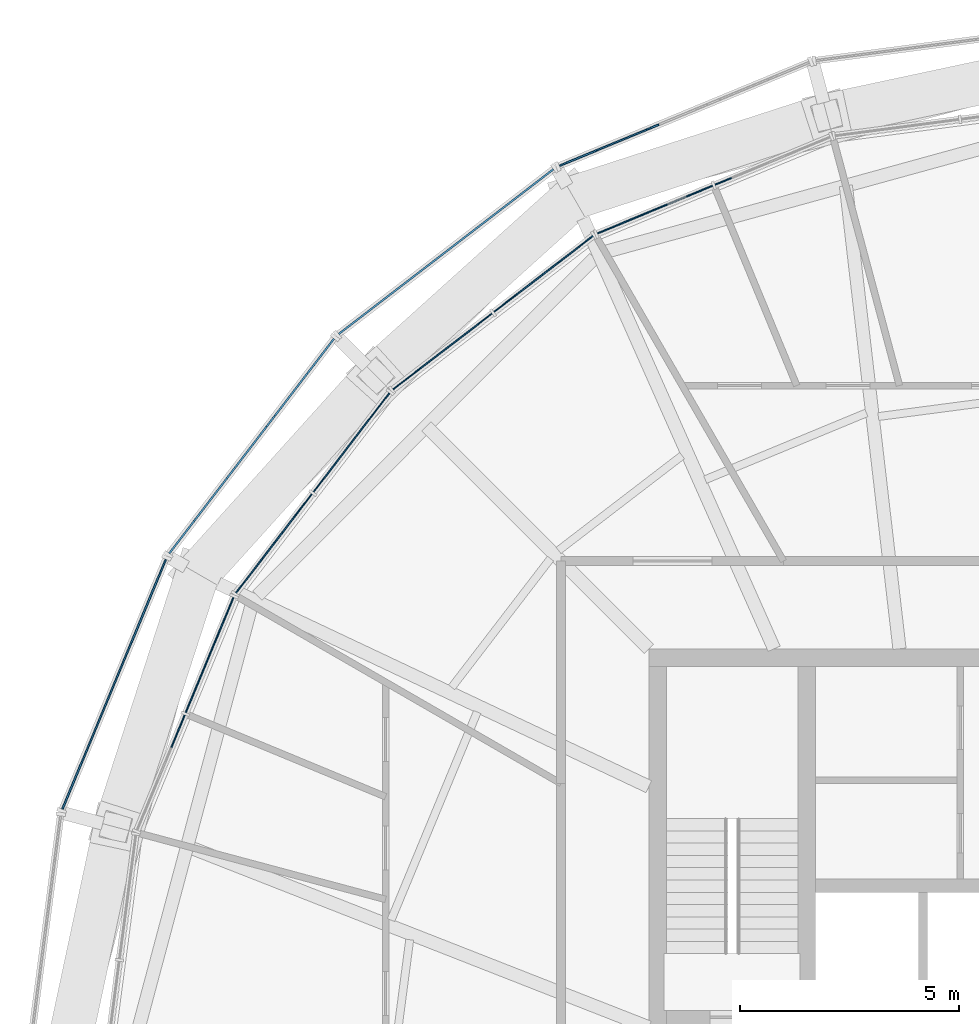
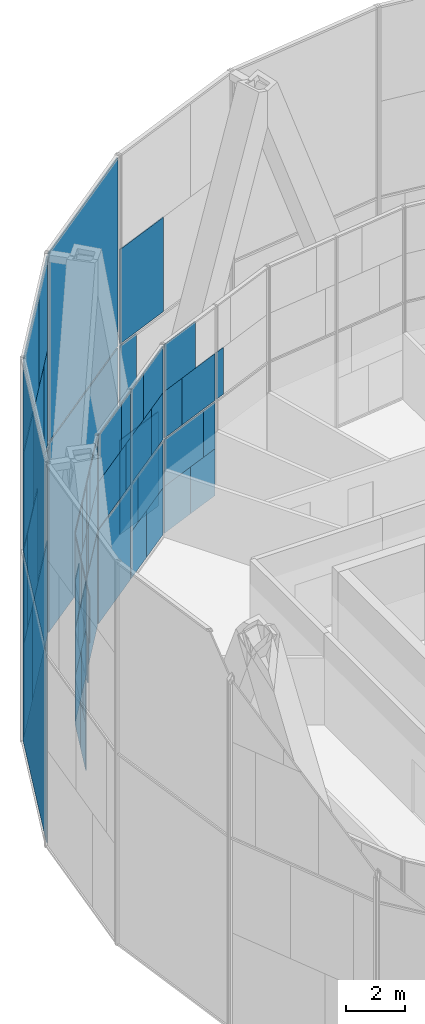
# One storey, part 15 of 22: 61 plates, 8 elements without a shape of their own.
"""IFC4 building model written with IfcOpenShell, lengths in metres."""

from ifc_helpers import new_model, si_unit, direction, frame, origin, origin_2d, place, context, subcontext, project, spatial, rectangle, extrude, material, layer, layer_set, type_object, element, aggregate, save


model = new_model("IFC4")

# Units and contexts
model_context = context("Model", 3, precision=1e-05, world=origin(), true_north=direction((0.0, 1.0)))
body_context = subcontext(model_context, "Body", "Model", "MODEL_VIEW")
ifc_project = project(units=[si_unit("LENGTHUNIT", "METRE"), si_unit("AREAUNIT", "SQUARE_METRE"), si_unit("VOLUMEUNIT", "CUBIC_METRE"), si_unit("PLANEANGLEUNIT", "RADIAN"), si_unit("MASSUNIT", "GRAM", prefix="KILO")], contexts=[model_context])

# Site, building, storey
site_placement = place(None, origin())
site = spatial("IfcSite", under=ifc_project, at=site_placement, CompositionType="ELEMENT")
building_placement = place(site_placement, origin())
building = spatial("IfcBuilding", under=site, at=building_placement, Name="Golbaran Civic Tower", CompositionType="ELEMENT")
storey_placement = place(building_placement, frame((0.0, 0.0, 248.0)))
storey = spatial("IfcBuildingStorey", under=building, at=storey_placement, Name="L60", CompositionType="ELEMENT", Elevation=248.0)

# Curtain wall, plates
ifc_material_1 = material(Name="Aluminium and glass", Category="aluminium")
curtain_wall_type_1 = type_object("IfcCurtainWallType", Name="INNER SKIN CURTAIN WALL EXECUTIVE", PredefinedType="NOTDEFINED", material=ifc_material_1)
curtain_wall_1_placement = place(storey_placement, origin())
curtain_wall_1 = element("IfcCurtainWall", 1, at=curtain_wall_1_placement, inside=storey, type_object=curtain_wall_type_1, Name="Inner skin L60 facet 8 CW2", ObjectType="INNER SKIN", PredefinedType="USERDEFINED")
ifc_material_2 = material(Name="Clear insulating glass", Category="glass")
ifc_layer_1 = layer(ifc_material_2, 0.031982421875, Name="Clear insulating glass")
ifc_layer_set_1 = layer_set([ifc_layer_1], Name="Clear insulating glass")
plate_type_1 = type_object("IfcPlateType", Name="INNER SKIN CURTAIN WALL EXECUTIVE GLAZED PANEL", PredefinedType="CURTAIN_PANEL", material=ifc_layer_set_1)
plate_1_placement = place(storey_placement, frame((-9.18505859375, 20.289306640625, 0.06005859375), z_axis=(0.0, 0.0, 1.0), x_axis=(-0.923879532505, -0.382683432381, 0.0)))
plate_1 = element("IfcPlate", 2, at=plate_1_placement, type_object=plate_type_1, Name="CW2 panel 2.1 part 1", PredefinedType="CURTAIN_PANEL", context=body_context, shape_type="SweptSolid", body=[
    extrude(rectangle(XDim=1.383056640625, YDim=0.031982421875, at=origin_2d()), origin(), (0.0, 0.0, 1.0), 1.955078125),
])
plate_2_placement = place(storey_placement, frame((-8.84375, 20.4306640625, 2.014892578125), z_axis=(0.0, 0.0, 1.0), x_axis=(-0.923879532505, -0.382683432381, 0.0)))
plate_2 = element("IfcPlate", 3, at=plate_2_placement, type_object=plate_type_1, Name="CW2 panel 2.1 part 3", PredefinedType="CURTAIN_PANEL", context=body_context, shape_type="SweptSolid", body=[
    extrude(rectangle(XDim=0.64404296875, YDim=0.031982421875, at=origin_2d()), origin(), (0.0, 0.0, 1.0), 1.955078125),
])
plate_3_placement = place(storey_placement, frame((-10.712158203125, 19.656982421875, 4.030029296875), z_axis=(0.0, 0.0, 1.0), x_axis=(-0.923879532505, -0.382683432381, 0.0)))
plate_3 = element("IfcPlate", 4, at=plate_3_placement, type_object=plate_type_1, Name="CW2 panel 2.2 part 2", PredefinedType="CURTAIN_PANEL", context=body_context, shape_type="SweptSolid", body=[
    extrude(rectangle(XDim=0.99267578125, YDim=0.031982421875, at=origin_2d()), origin(), (0.0, 0.0, 1.0), 1.955078125),
])
plate_4_placement = place(storey_placement, frame((-10.3701171875, 19.798583984375, 5.98486328125), z_axis=(0.0, 0.0, 1.0), x_axis=(-0.923879532505, -0.382683432381, 0.0)))
plate_4 = element("IfcPlate", 5, at=plate_4_placement, type_object=plate_type_1, Name="CW2 panel 2.2 part 4", PredefinedType="CURTAIN_PANEL", context=body_context, shape_type="SweptSolid", body=[
    extrude(rectangle(XDim=1.732666015625, YDim=0.031982421875, at=origin_2d()), origin(), (0.0, 0.0, 1.0), 1.955078125),
])

curtain_wall_2_placement = place(storey_placement, origin())
curtain_wall_2 = element("IfcCurtainWall", 6, at=curtain_wall_2_placement, inside=storey, type_object=curtain_wall_type_1, Name="Inner skin L60 facet 9 CW2", ObjectType="INNER SKIN", PredefinedType="USERDEFINED")
plate_5_placement = place(storey_placement, frame((-12.978271484375, 18.099365234375, 0.06005859375), z_axis=(0.0, 0.0, 1.0), x_axis=(-0.793353340238, -0.608761429078, 0.0)))
plate_5 = element("IfcPlate", 7, at=plate_5_placement, type_object=plate_type_1, Name="CW2 panel 1.1 part 2", PredefinedType="CURTAIN_PANEL", context=body_context, shape_type="SweptSolid", body=[
    extrude(rectangle(XDim=1.383544921875, YDim=0.031982421875, at=origin_2d()), origin(), (0.0, 0.0, 1.0), 1.955078125),
])
plate_6_placement = place(storey_placement, frame((-13.271484375, 17.87451171875, 2.014892578125), z_axis=(0.0, 0.0, 1.0), x_axis=(-0.793353340238, -0.608761429078, 0.0)))
plate_6 = element("IfcPlate", 8, at=plate_6_placement, type_object=plate_type_1, Name="CW2 panel 1.1 part 4", PredefinedType="CURTAIN_PANEL", context=body_context, shape_type="SweptSolid", body=[
    extrude(rectangle(XDim=0.64453125, YDim=0.031982421875, at=origin_2d()), origin(), (0.0, 0.0, 1.0), 1.955078125),
])
plate_7_placement = place(storey_placement, frame((-11.66748046875, 19.105224609375, 4.030029296875), z_axis=(0.0, 0.0, 1.0), x_axis=(-0.793353340238, -0.608761429078, 0.0)))
plate_7 = element("IfcPlate", 9, at=plate_7_placement, type_object=plate_type_1, Name="CW2 panel 1.2 part 1", PredefinedType="CURTAIN_PANEL", context=body_context, shape_type="SweptSolid", body=[
    extrude(rectangle(XDim=0.992919921875, YDim=0.031982421875, at=origin_2d()), origin(), (0.0, 0.0, 1.0), 1.955078125),
])
plate_8_placement = place(storey_placement, frame((-11.960693359375, 18.88037109375, 5.98486328125), z_axis=(0.0, 0.0, 1.0), x_axis=(-0.793353340238, -0.608761429078, 0.0)))
plate_8 = element("IfcPlate", 10, at=plate_8_placement, type_object=plate_type_1, Name="CW2 panel 1.2 part 3", PredefinedType="CURTAIN_PANEL", context=body_context, shape_type="SweptSolid", body=[
    extrude(rectangle(XDim=1.73193359375, YDim=0.031982421875, at=origin_2d()), origin(), (0.0, 0.0, 1.0), 1.955078125),
])
plate_9_placement = place(storey_placement, frame((-14.70166015625, 16.777099609375, 0.06005859375), z_axis=(0.0, 0.0, 1.0), x_axis=(-0.793353340238, -0.608761429078, 0.0)))
plate_9 = element("IfcPlate", 11, at=plate_9_placement, type_object=plate_type_1, Name="CW2 panel 2.1", PredefinedType="CURTAIN_PANEL", context=body_context, shape_type="SweptSolid", body=[
    extrude(rectangle(XDim=2.840576171875, YDim=0.031982421875, at=origin_2d()), origin(), (0.0, 0.0, 1.0), 3.909912109375),
])
plate_10_placement = place(storey_placement, frame((-14.8603515625, 16.6552734375, 4.030029296875), z_axis=(0.0, 0.0, 1.0), x_axis=(-0.793353340238, -0.608761429078, 0.0)))
plate_10 = element("IfcPlate", 12, at=plate_10_placement, type_object=plate_type_1, Name="CW2 panel 2.2 part 2", PredefinedType="CURTAIN_PANEL", context=body_context, shape_type="SweptSolid", body=[
    extrude(rectangle(XDim=2.440673828125, YDim=0.031982421875, at=origin_2d()), origin(), (0.0, 0.0, 1.0), 1.955078125),
])
plate_11_placement = place(storey_placement, frame((-15.017822265625, 16.534423828125, 5.98486328125), z_axis=(0.0, 0.0, 1.0), x_axis=(-0.793353340238, -0.608761429078, 0.0)))
plate_11 = element("IfcPlate", 13, at=plate_11_placement, type_object=plate_type_1, Name="CW2 panel 2.2 part 4", PredefinedType="CURTAIN_PANEL", context=body_context, shape_type="SweptSolid", body=[
    extrude(rectangle(XDim=2.04345703125, YDim=0.031982421875, at=origin_2d()), origin(), (0.0, 0.0, 1.0), 1.955078125),
])

curtain_wall_3_placement = place(storey_placement, origin())
curtain_wall_3 = element("IfcCurtainWall", 14, at=curtain_wall_3_placement, inside=storey, type_object=curtain_wall_type_1, Name="Inner skin L60 facet 10 CW2", ObjectType="INNER SKIN", PredefinedType="USERDEFINED")
plate_12_placement = place(storey_placement, frame((-16.777099609375, 14.70166015625, 0.06005859375), z_axis=(0.0, 0.0, 1.0), x_axis=(-0.608761429078, -0.793353340238, 0.0)))
plate_12 = element("IfcPlate", 15, at=plate_12_placement, type_object=plate_type_1, Name="CW2 panel 1.1", PredefinedType="CURTAIN_PANEL", context=body_context, shape_type="SweptSolid", body=[
    extrude(rectangle(XDim=2.840576171875, YDim=0.031982421875, at=origin_2d()), origin(), (0.0, 0.0, 1.0), 3.909912109375),
])
plate_13_placement = place(storey_placement, frame((-16.65478515625, 14.86083984375, 4.030029296875), z_axis=(0.0, 0.0, 1.0), x_axis=(-0.608761429078, -0.793353340238, 0.0)))
plate_13 = element("IfcPlate", 16, at=plate_13_placement, type_object=plate_type_1, Name="CW2 panel 1.2 part 1", PredefinedType="CURTAIN_PANEL", context=body_context, shape_type="SweptSolid", body=[
    extrude(rectangle(XDim=2.43896484375, YDim=0.031982421875, at=origin_2d()), origin(), (0.0, 0.0, 1.0), 1.955078125),
])
plate_14_placement = place(storey_placement, frame((-16.534423828125, 15.01806640625, 5.98486328125), z_axis=(0.0, 0.0, 1.0), x_axis=(-0.608761429078, -0.793353340238, 0.0)))
plate_14 = element("IfcPlate", 17, at=plate_14_placement, type_object=plate_type_1, Name="CW2 panel 1.2 part 3", PredefinedType="CURTAIN_PANEL", context=body_context, shape_type="SweptSolid", body=[
    extrude(rectangle(XDim=2.04296875, YDim=0.031982421875, at=origin_2d()), origin(), (0.0, 0.0, 1.0), 1.955078125),
])
plate_15_placement = place(storey_placement, frame((-18.09912109375, 12.978515625, 0.06005859375), z_axis=(0.0, 0.0, 1.0), x_axis=(-0.608761429078, -0.793353340238, 0.0)))
plate_15 = element("IfcPlate", 18, at=plate_15_placement, type_object=plate_type_1, Name="CW2 panel 2.1 part 1", PredefinedType="CURTAIN_PANEL", context=body_context, shape_type="SweptSolid", body=[
    extrude(rectangle(XDim=1.383056640625, YDim=0.031982421875, at=origin_2d()), origin(), (0.0, 0.0, 1.0), 1.955078125),
])
plate_16_placement = place(storey_placement, frame((-17.874267578125, 13.271728515625, 2.014892578125), z_axis=(0.0, 0.0, 1.0), x_axis=(-0.608761429078, -0.793353340238, 0.0)))
plate_16 = element("IfcPlate", 19, at=plate_16_placement, type_object=plate_type_1, Name="CW2 panel 2.1 part 3", PredefinedType="CURTAIN_PANEL", context=body_context, shape_type="SweptSolid", body=[
    extrude(rectangle(XDim=0.64404296875, YDim=0.031982421875, at=origin_2d()), origin(), (0.0, 0.0, 1.0), 1.955078125),
])
plate_17_placement = place(storey_placement, frame((-19.10546875, 11.667236328125, 4.030029296875), z_axis=(0.0, 0.0, 1.0), x_axis=(-0.608761429078, -0.793353340238, 0.0)))
plate_17 = element("IfcPlate", 20, at=plate_17_placement, type_object=plate_type_1, Name="CW2 panel 2.2 part 2", PredefinedType="CURTAIN_PANEL", context=body_context, shape_type="SweptSolid", body=[
    extrude(rectangle(XDim=0.99267578125, YDim=0.031982421875, at=origin_2d()), origin(), (0.0, 0.0, 1.0), 1.955078125),
])
plate_18_placement = place(storey_placement, frame((-18.880126953125, 11.9609375, 5.98486328125), z_axis=(0.0, 0.0, 1.0), x_axis=(-0.608761429078, -0.793353340238, 0.0)))
plate_18 = element("IfcPlate", 21, at=plate_18_placement, type_object=plate_type_1, Name="CW2 panel 2.2 part 4", PredefinedType="CURTAIN_PANEL", context=body_context, shape_type="SweptSolid", body=[
    extrude(rectangle(XDim=1.732666015625, YDim=0.031982421875, at=origin_2d()), origin(), (0.0, 0.0, 1.0), 1.955078125),
])

curtain_wall_4_placement = place(storey_placement, origin())
curtain_wall_4 = element("IfcCurtainWall", 22, at=curtain_wall_4_placement, inside=storey, type_object=curtain_wall_type_1, Name="Inner skin L60 facet 11 CW2", ObjectType="INNER SKIN", PredefinedType="USERDEFINED")
plate_19_placement = place(storey_placement, frame((-20.289306640625, 9.185302734375, 0.06005859375), z_axis=(0.0, 0.0, 1.0), x_axis=(-0.382683432381, -0.923879532505, 0.0)))
plate_19 = element("IfcPlate", 23, at=plate_19_placement, type_object=plate_type_1, Name="CW2 panel 1.1 part 2", PredefinedType="CURTAIN_PANEL", context=body_context, shape_type="SweptSolid", body=[
    extrude(rectangle(XDim=1.383544921875, YDim=0.031982421875, at=origin_2d()), origin(), (0.0, 0.0, 1.0), 1.955078125),
])
plate_20_placement = place(storey_placement, frame((-20.4306640625, 8.843994140625, 2.014892578125), z_axis=(0.0, 0.0, 1.0), x_axis=(-0.382683432381, -0.923879532505, 0.0)))
plate_20 = element("IfcPlate", 24, at=plate_20_placement, type_object=plate_type_1, Name="CW2 panel 1.1 part 4", PredefinedType="CURTAIN_PANEL", context=body_context, shape_type="SweptSolid", body=[
    extrude(rectangle(XDim=0.64453125, YDim=0.031982421875, at=origin_2d()), origin(), (0.0, 0.0, 1.0), 1.955078125),
])
plate_21_placement = place(storey_placement, frame((-19.656982421875, 10.7119140625, 4.030029296875), z_axis=(0.0, 0.0, 1.0), x_axis=(-0.382683432381, -0.923879532505, 0.0)))
plate_21 = element("IfcPlate", 25, at=plate_21_placement, type_object=plate_type_1, Name="CW2 panel 1.2 part 1", PredefinedType="CURTAIN_PANEL", context=body_context, shape_type="SweptSolid", body=[
    extrude(rectangle(XDim=0.992919921875, YDim=0.031982421875, at=origin_2d()), origin(), (0.0, 0.0, 1.0), 1.955078125),
])
plate_22_placement = place(storey_placement, frame((-19.79833984375, 10.37060546875, 5.98486328125), z_axis=(0.0, 0.0, 1.0), x_axis=(-0.382683432381, -0.923879532505, 0.0)))
plate_22 = element("IfcPlate", 26, at=plate_22_placement, type_object=plate_type_1, Name="CW2 panel 1.2 part 3", PredefinedType="CURTAIN_PANEL", context=body_context, shape_type="SweptSolid", body=[
    extrude(rectangle(XDim=1.73193359375, YDim=0.031982421875, at=origin_2d()), origin(), (0.0, 0.0, 1.0), 1.955078125),
])

# Plate
ifc_material_3 = material(Name="Aluminium faced opaque infill panel", Category="aluminium")
ifc_layer_2 = layer(ifc_material_3, 0.031982421875, Name="Aluminium faced opaque infill panel")
ifc_layer_set_2 = layer_set([ifc_layer_2], Name="Aluminium faced opaque infill panel")
plate_type_2 = type_object("IfcPlateType", Name="INNER SKIN CURTAIN WALL EXECUTIVE OPAQUE INFILL PANEL", PredefinedType="CURTAIN_PANEL", material=ifc_layer_set_2)
plate_23_placement = place(storey_placement, frame((-8.30517578125, 20.65380859375, 4.030029296875), z_axis=(0.0, 0.0, 1.0), x_axis=(-0.923879532505, -0.382683432381, 0.0)))
plate_23 = element("IfcPlate", 27, at=plate_23_placement, type_object=plate_type_2, Name="CW2 infill panel 1.2 part 2", PredefinedType="CURTAIN_PANEL", context=body_context, shape_type="SweptSolid", body=[
    extrude(rectangle(XDim=0.401611328125, YDim=0.031982421875, at=origin_2d()), origin(), (0.0, 0.0, 1.0), 1.955078125),
])

plate_24_placement = place(storey_placement, frame((-10.497314453125, 19.745849609375, 0.06005859375), z_axis=(0.0, 0.0, 1.0), x_axis=(-0.923879532505, -0.382683432381, 0.0)))
plate_24 = element("IfcPlate", 28, at=plate_24_placement, type_object=plate_type_2, Name="CW2 infill panel 2.1 part 2", PredefinedType="CURTAIN_PANEL", context=body_context, shape_type="SweptSolid", body=[
    extrude(rectangle(XDim=1.45751953125, YDim=0.031982421875, at=origin_2d()), origin(), (0.0, 0.0, 1.0), 1.955078125),
])

plate_25_placement = place(storey_placement, frame((-10.15576171875, 19.88720703125, 2.014892578125), z_axis=(0.0, 0.0, 1.0), x_axis=(-0.923879532505, -0.382683432381, 0.0)))
plate_25 = element("IfcPlate", 29, at=plate_25_placement, type_object=plate_type_2, Name="CW2 infill panel 2.1 part 4", PredefinedType="CURTAIN_PANEL", context=body_context, shape_type="SweptSolid", body=[
    extrude(rectangle(XDim=2.196533203125, YDim=0.031982421875, at=origin_2d()), origin(), (0.0, 0.0, 1.0), 1.955078125),
])

plate_26_placement = place(storey_placement, frame((-9.39990234375, 20.200439453125, 4.030029296875), z_axis=(0.0, 0.0, 1.0), x_axis=(-0.923879532505, -0.382683432381, 0.0)))
plate_26 = element("IfcPlate", 30, at=plate_26_placement, type_object=plate_type_2, Name="CW2 infill panel 2.2 part 1", PredefinedType="CURTAIN_PANEL", context=body_context, shape_type="SweptSolid", body=[
    extrude(rectangle(XDim=1.847900390625, YDim=0.031982421875, at=origin_2d()), origin(), (0.0, 0.0, 1.0), 1.955078125),
])

aggregate(curtain_wall_1, [plate_23, plate_1, plate_24, plate_2, plate_25, plate_26, plate_3, plate_4])

plate_27_placement = place(storey_placement, frame((-11.8515625, 18.964111328125, 0.06005859375), z_axis=(0.0, 0.0, 1.0), x_axis=(-0.793353340238, -0.608761429078, 0.0)))
plate_27 = element("IfcPlate", 31, at=plate_27_placement, type_object=plate_type_2, Name="CW2 infill panel 1.1 part 1", PredefinedType="CURTAIN_PANEL", context=body_context, shape_type="SweptSolid", body=[
    extrude(rectangle(XDim=1.45703125, YDim=0.031982421875, at=origin_2d()), origin(), (0.0, 0.0, 1.0), 1.955078125),
])

plate_28_placement = place(storey_placement, frame((-12.144775390625, 18.739013671875, 2.014892578125), z_axis=(0.0, 0.0, 1.0), x_axis=(-0.793353340238, -0.608761429078, 0.0)))
plate_28 = element("IfcPlate", 32, at=plate_28_placement, type_object=plate_type_2, Name="CW2 infill panel 1.1 part 3", PredefinedType="CURTAIN_PANEL", context=body_context, shape_type="SweptSolid", body=[
    extrude(rectangle(XDim=2.196044921875, YDim=0.031982421875, at=origin_2d()), origin(), (0.0, 0.0, 1.0), 1.955078125),
])

plate_29_placement = place(storey_placement, frame((-12.794189453125, 18.24072265625, 4.030029296875), z_axis=(0.0, 0.0, 1.0), x_axis=(-0.793353340238, -0.608761429078, 0.0)))
plate_29 = element("IfcPlate", 33, at=plate_29_placement, type_object=plate_type_2, Name="CW2 infill panel 1.2 part 2", PredefinedType="CURTAIN_PANEL", context=body_context, shape_type="SweptSolid", body=[
    extrude(rectangle(XDim=1.84765625, YDim=0.031982421875, at=origin_2d()), origin(), (0.0, 0.0, 1.0), 1.955078125),
])

plate_30_placement = place(storey_placement, frame((-13.08740234375, 18.015625, 5.98486328125), z_axis=(0.0, 0.0, 1.0), x_axis=(-0.793353340238, -0.608761429078, 0.0)))
plate_30 = element("IfcPlate", 34, at=plate_30_placement, type_object=plate_type_2, Name="CW2 infill panel 1.2 part 4", PredefinedType="CURTAIN_PANEL", context=body_context, shape_type="SweptSolid", body=[
    extrude(rectangle(XDim=1.108642578125, YDim=0.031982421875, at=origin_2d()), origin(), (0.0, 0.0, 1.0), 1.955078125),
])

plate_31_placement = place(storey_placement, frame((-13.7333984375, 17.52001953125, 4.030029296875), z_axis=(0.0, 0.0, 1.0), x_axis=(-0.793353340238, -0.608761429078, 0.0)))
plate_31 = element("IfcPlate", 35, at=plate_31_placement, type_object=plate_type_2, Name="CW2 infill panel 2.2 part 1", PredefinedType="CURTAIN_PANEL", context=body_context, shape_type="SweptSolid", body=[
    extrude(rectangle(XDim=0.39990234375, YDim=0.031982421875, at=origin_2d()), origin(), (0.0, 0.0, 1.0), 1.955078125),
])

plate_32_placement = place(storey_placement, frame((-13.890869140625, 17.399169921875, 5.98486328125), z_axis=(0.0, 0.0, 1.0), x_axis=(-0.793353340238, -0.608761429078, 0.0)))
plate_32 = element("IfcPlate", 36, at=plate_32_placement, type_object=plate_type_2, Name="CW2 infill panel 2.2 part 3", PredefinedType="CURTAIN_PANEL", context=body_context, shape_type="SweptSolid", body=[
    extrude(rectangle(XDim=0.797119140625, YDim=0.031982421875, at=origin_2d()), origin(), (0.0, 0.0, 1.0), 1.955078125),
])

aggregate(curtain_wall_2, [plate_27, plate_5, plate_28, plate_6, plate_7, plate_29, plate_8, plate_30, plate_9, plate_31, plate_10, plate_32, plate_11])

plate_33_placement = place(storey_placement, frame((-17.51953125, 13.734130859375, 4.030029296875), z_axis=(0.0, 0.0, 1.0), x_axis=(-0.608761429078, -0.793353340238, 0.0)))
plate_33 = element("IfcPlate", 37, at=plate_33_placement, type_object=plate_type_2, Name="CW2 infill panel 1.2 part 2", PredefinedType="CURTAIN_PANEL", context=body_context, shape_type="SweptSolid", body=[
    extrude(rectangle(XDim=0.401611328125, YDim=0.031982421875, at=origin_2d()), origin(), (0.0, 0.0, 1.0), 1.955078125),
])

plate_34_placement = place(storey_placement, frame((-17.39892578125, 13.89111328125, 5.98486328125), z_axis=(0.0, 0.0, 1.0), x_axis=(-0.608761429078, -0.793353340238, 0.0)))
plate_34 = element("IfcPlate", 38, at=plate_34_placement, type_object=plate_type_2, Name="CW2 infill panel 1.2 part 4", PredefinedType="CURTAIN_PANEL", context=body_context, shape_type="SweptSolid", body=[
    extrude(rectangle(XDim=0.797607421875, YDim=0.031982421875, at=origin_2d()), origin(), (0.0, 0.0, 1.0), 1.955078125),
])

plate_35_placement = place(storey_placement, frame((-18.9638671875, 11.851806640625, 0.06005859375), z_axis=(0.0, 0.0, 1.0), x_axis=(-0.608761429078, -0.793353340238, 0.0)))
plate_35 = element("IfcPlate", 39, at=plate_35_placement, type_object=plate_type_2, Name="CW2 infill panel 2.1 part 2", PredefinedType="CURTAIN_PANEL", context=body_context, shape_type="SweptSolid", body=[
    extrude(rectangle(XDim=1.45751953125, YDim=0.031982421875, at=origin_2d()), origin(), (0.0, 0.0, 1.0), 1.955078125),
])

plate_36_placement = place(storey_placement, frame((-18.73876953125, 12.14501953125, 2.014892578125), z_axis=(0.0, 0.0, 1.0), x_axis=(-0.608761429078, -0.793353340238, 0.0)))
plate_36 = element("IfcPlate", 40, at=plate_36_placement, type_object=plate_type_2, Name="CW2 infill panel 2.1 part 4", PredefinedType="CURTAIN_PANEL", context=body_context, shape_type="SweptSolid", body=[
    extrude(rectangle(XDim=2.196533203125, YDim=0.031982421875, at=origin_2d()), origin(), (0.0, 0.0, 1.0), 1.955078125),
])

plate_37_placement = place(storey_placement, frame((-18.24072265625, 12.794189453125, 4.030029296875), z_axis=(0.0, 0.0, 1.0), x_axis=(-0.608761429078, -0.793353340238, 0.0)))
plate_37 = element("IfcPlate", 41, at=plate_37_placement, type_object=plate_type_2, Name="CW2 infill panel 2.2 part 1", PredefinedType="CURTAIN_PANEL", context=body_context, shape_type="SweptSolid", body=[
    extrude(rectangle(XDim=1.847900390625, YDim=0.031982421875, at=origin_2d()), origin(), (0.0, 0.0, 1.0), 1.955078125),
])

plate_38_placement = place(storey_placement, frame((-18.015380859375, 13.087646484375, 5.98486328125), z_axis=(0.0, 0.0, 1.0), x_axis=(-0.608761429078, -0.793353340238, 0.0)))
plate_38 = element("IfcPlate", 42, at=plate_38_placement, type_object=plate_type_2, Name="CW2 infill panel 2.2 part 3", PredefinedType="CURTAIN_PANEL", context=body_context, shape_type="SweptSolid", body=[
    extrude(rectangle(XDim=1.10791015625, YDim=0.031982421875, at=origin_2d()), origin(), (0.0, 0.0, 1.0), 1.955078125),
])

aggregate(curtain_wall_3, [plate_12, plate_13, plate_33, plate_14, plate_34, plate_15, plate_35, plate_16, plate_36, plate_37, plate_17, plate_38, plate_18])

plate_39_placement = place(storey_placement, frame((-19.745849609375, 10.49755859375, 0.06005859375), z_axis=(0.0, 0.0, 1.0), x_axis=(-0.382683432381, -0.923879532505, 0.0)))
plate_39 = element("IfcPlate", 43, at=plate_39_placement, type_object=plate_type_2, Name="CW2 infill panel 1.1 part 1", PredefinedType="CURTAIN_PANEL", context=body_context, shape_type="SweptSolid", body=[
    extrude(rectangle(XDim=1.45703125, YDim=0.031982421875, at=origin_2d()), origin(), (0.0, 0.0, 1.0), 1.955078125),
])

plate_40_placement = place(storey_placement, frame((-19.88720703125, 10.15625, 2.014892578125), z_axis=(0.0, 0.0, 1.0), x_axis=(-0.382683432381, -0.923879532505, 0.0)))
plate_40 = element("IfcPlate", 44, at=plate_40_placement, type_object=plate_type_2, Name="CW2 infill panel 1.1 part 3", PredefinedType="CURTAIN_PANEL", context=body_context, shape_type="SweptSolid", body=[
    extrude(rectangle(XDim=2.196044921875, YDim=0.031982421875, at=origin_2d()), origin(), (0.0, 0.0, 1.0), 1.955078125),
])

plate_41_placement = place(storey_placement, frame((-20.200439453125, 9.399658203125, 4.030029296875), z_axis=(0.0, 0.0, 1.0), x_axis=(-0.382683432381, -0.923879532505, 0.0)))
plate_41 = element("IfcPlate", 45, at=plate_41_placement, type_object=plate_type_2, Name="CW2 infill panel 1.2 part 2", PredefinedType="CURTAIN_PANEL", context=body_context, shape_type="SweptSolid", body=[
    extrude(rectangle(XDim=1.84765625, YDim=0.031982421875, at=origin_2d()), origin(), (0.0, 0.0, 1.0), 1.955078125),
])

plate_42_placement = place(storey_placement, frame((-20.341796875, 9.058349609375, 5.98486328125), z_axis=(0.0, 0.0, 1.0), x_axis=(-0.382683432381, -0.923879532505, 0.0)))
plate_42 = element("IfcPlate", 46, at=plate_42_placement, type_object=plate_type_2, Name="CW2 infill panel 1.2 part 4", PredefinedType="CURTAIN_PANEL", context=body_context, shape_type="SweptSolid", body=[
    extrude(rectangle(XDim=1.108642578125, YDim=0.031982421875, at=origin_2d()), origin(), (0.0, 0.0, 1.0), 1.955078125),
])

plate_43_placement = place(storey_placement, frame((-20.653564453125, 8.305908203125, 4.030029296875), z_axis=(0.0, 0.0, 1.0), x_axis=(-0.382683432381, -0.923879532505, 0.0)))
plate_43 = element("IfcPlate", 47, at=plate_43_placement, type_object=plate_type_2, Name="CW2 infill panel 2.2 part 1", PredefinedType="CURTAIN_PANEL", context=body_context, shape_type="SweptSolid", body=[
    extrude(rectangle(XDim=0.39990234375, YDim=0.031982421875, at=origin_2d()), origin(), (0.0, 0.0, 1.0), 1.955078125),
])

plate_44_placement = place(storey_placement, frame((-20.7294921875, 8.12255859375, 5.98486328125), z_axis=(0.0, 0.0, 1.0), x_axis=(-0.382683432381, -0.923879532505, 0.0)))
plate_44 = element("IfcPlate", 48, at=plate_44_placement, type_object=plate_type_2, Name="CW2 infill panel 2.2 part 3", PredefinedType="CURTAIN_PANEL", context=body_context, shape_type="SweptSolid", body=[
    extrude(rectangle(XDim=0.797119140625, YDim=0.031982421875, at=origin_2d()), origin(), (0.0, 0.0, 1.0), 1.955078125),
])

aggregate(curtain_wall_4, [plate_39, plate_19, plate_40, plate_20, plate_21, plate_41, plate_22, plate_42, plate_43, plate_44])

# Curtain wall, plates
curtain_wall_type_2 = type_object("IfcCurtainWallType", Name="OUTER SKIN TERRACOTTA SCREEN", PredefinedType="NOTDEFINED", material=ifc_material_1)
curtain_wall_5_placement = place(storey_placement, origin())
curtain_wall_5 = element("IfcCurtainWall", 49, at=curtain_wall_5_placement, inside=storey, type_object=curtain_wall_type_2, Name="Outer skin L60 facet 8 CW3", ObjectType="OUTER SKIN", PredefinedType="USERDEFINED")
ifc_material_4 = material(Name="Clear laminated glass", Category="glass")
ifc_layer_3 = layer(ifc_material_4, 0.0400390625, Name="Clear laminated glass")
ifc_layer_set_3 = layer_set([ifc_layer_3], Name="Clear laminated glass")
plate_type_3 = type_object("IfcPlateType", Name="OUTER SKIN CLEAR GLASS PANEL", PredefinedType="CURTAIN_PANEL", material=ifc_layer_set_3)
plate_45_placement = place(storey_placement, frame((-11.607421875, 21.1865234375, 3.31005859375), z_axis=(0.0, 0.0, 1.0), x_axis=(-0.923879532518, -0.382683432349, 0.0)))
plate_45 = element("IfcPlate", 50, at=plate_45_placement, type_object=plate_type_3, Name="CW3 panel 1.1 part 5", PredefinedType="CURTAIN_PANEL", context=body_context, shape_type="SweptSolid", body=[
    extrude(rectangle(XDim=0.931396484375, YDim=0.0400390625, at=origin_2d()), origin(), (0.0, 0.0, 1.0), 3.93994140625),
])
plate_46_placement = place(storey_placement, frame((-10.90478515625, 21.4775390625, 7.330078125), z_axis=(0.0, 0.0, 1.0), x_axis=(-0.923879532518, -0.382683432349, 0.0)))
plate_46 = element("IfcPlate", 51, at=plate_46_placement, type_object=plate_type_3, Name="CW3 panel 1.2 part 3", PredefinedType="CURTAIN_PANEL", context=body_context, shape_type="SweptSolid", body=[
    extrude(rectangle(XDim=2.452392578125, YDim=0.0400390625, at=origin_2d()), origin(), (0.0, 0.0, 1.0), 3.93994140625),
])

curtain_wall_6_placement = place(storey_placement, origin())
curtain_wall_6 = element("IfcCurtainWall", 52, at=curtain_wall_6_placement, inside=storey, type_object=curtain_wall_type_2, Name="Outer skin L60 facet 10 CW3", ObjectType="OUTER SKIN", PredefinedType="USERDEFINED")
plate_47_placement = place(storey_placement, frame((-18.39599609375, 15.47607421875, -0.6298828125), z_axis=(0.0, 0.0, 1.0), x_axis=(-0.608761428967, -0.793353340323, 0.0)))
plate_47 = element("IfcPlate", 53, at=plate_47_placement, type_object=plate_type_3, Name="CW3 panel 1.1 part 1", PredefinedType="CURTAIN_PANEL", context=body_context, shape_type="SweptSolid", body=[
    extrude(rectangle(XDim=4.0048828125, YDim=0.0400390625, at=origin_2d()), origin(), (0.0, 0.0, 1.0), 3.93994140625),
])
plate_48_placement = place(storey_placement, frame((-17.9423828125, 16.067138671875, 3.31005859375), z_axis=(0.0, 0.0, 1.0), x_axis=(-0.608761428967, -0.793353340323, 0.0)))
plate_48 = element("IfcPlate", 54, at=plate_48_placement, type_object=plate_type_3, Name="CW3 panel 1.1 part 3", PredefinedType="CURTAIN_PANEL", context=body_context, shape_type="SweptSolid", body=[
    extrude(rectangle(XDim=2.514892578125, YDim=0.0400390625, at=origin_2d()), origin(), (0.0, 0.0, 1.0), 3.93994140625),
])
plate_49_placement = place(storey_placement, frame((-20.6455078125, 12.54443359375, 3.31005859375), z_axis=(0.0, 0.0, 1.0), x_axis=(-0.608761428967, -0.793353340323, 0.0)))
plate_49 = element("IfcPlate", 55, at=plate_49_placement, type_object=plate_type_3, Name="CW3 panel 1.1 part 5", PredefinedType="CURTAIN_PANEL", context=body_context, shape_type="SweptSolid", body=[
    extrude(rectangle(XDim=0.931396484375, YDim=0.0400390625, at=origin_2d()), origin(), (0.0, 0.0, 1.0), 3.93994140625),
])
plate_50_placement = place(storey_placement, frame((-17.479736328125, 16.670166015625, 7.330078125), z_axis=(0.0, 0.0, 1.0), x_axis=(-0.608761428967, -0.793353340323, 0.0)))
plate_50 = element("IfcPlate", 56, at=plate_50_placement, type_object=plate_type_3, Name="CW3 panel 1.2 part 1", PredefinedType="CURTAIN_PANEL", context=body_context, shape_type="SweptSolid", body=[
    extrude(rectangle(XDim=0.9951171875, YDim=0.0400390625, at=origin_2d()), origin(), (0.0, 0.0, 1.0), 3.93994140625),
])
plate_51_placement = place(storey_placement, frame((-20.1826171875, 13.147705078125, 7.330078125), z_axis=(0.0, 0.0, 1.0), x_axis=(-0.608761428967, -0.793353340323, 0.0)))
plate_51 = element("IfcPlate", 57, at=plate_51_placement, type_object=plate_type_3, Name="CW3 panel 1.2 part 3", PredefinedType="CURTAIN_PANEL", context=body_context, shape_type="SweptSolid", body=[
    extrude(rectangle(XDim=2.452392578125, YDim=0.0400390625, at=origin_2d()), origin(), (0.0, 0.0, 1.0), 3.93994140625),
])
plate_52_placement = place(storey_placement, frame((-19.7265625, 13.741943359375, 11.27001953125), z_axis=(0.0, 0.0, 1.0), x_axis=(-0.608761428967, -0.793353340323, 0.0)))
plate_52 = element("IfcPlate", 58, at=plate_52_placement, type_object=plate_type_3, Name="CW3 panel 1.2 part 5", PredefinedType="CURTAIN_PANEL", context=body_context, shape_type="SweptSolid", body=[
    extrude(rectangle(XDim=3.950439453125, YDim=0.0400390625, at=origin_2d()), origin(), (0.0, 0.0, 1.0), 3.93994140625),
])

# Plate
ifc_material_5 = material(Name="Terracotta baguette screen", Category="masonry")
ifc_layer_4 = layer(ifc_material_5, 0.0400390625, Name="Terracotta baguette screen")
ifc_layer_set_4 = layer_set([ifc_layer_4], Name="Terracotta baguette screen")
plate_type_4 = type_object("IfcPlateType", Name="OUTER SKIN TERRACOTTA INFILL PANEL", PredefinedType="CURTAIN_PANEL", material=ifc_layer_set_4)
plate_53_placement = place(storey_placement, frame((-11.04052734375, 21.42138671875, -0.6298828125), z_axis=(0.0, 0.0, 1.0), x_axis=(-0.923879532518, -0.382683432349, 0.0)))
plate_53 = element("IfcPlate", 59, at=plate_53_placement, type_object=plate_type_4, Name="CW3 infill panel 1.1 part 2", PredefinedType="CURTAIN_PANEL", context=body_context, shape_type="SweptSolid", body=[
    extrude(rectangle(XDim=2.158447265625, YDim=0.0400390625, at=origin_2d()), origin(), (0.0, 0.0, 1.0), 3.93994140625),
])

aggregate(curtain_wall_5, [plate_53, plate_45, plate_46])

plate_54_placement = place(storey_placement, frame((-20.27197265625, 13.03125, -0.6298828125), z_axis=(0.0, 0.0, 1.0), x_axis=(-0.608761428967, -0.793353340323, 0.0)))
plate_54 = element("IfcPlate", 60, at=plate_54_placement, type_object=plate_type_4, Name="CW3 infill panel 1.1 part 2", PredefinedType="CURTAIN_PANEL", context=body_context, shape_type="SweptSolid", body=[
    extrude(rectangle(XDim=2.158447265625, YDim=0.0400390625, at=origin_2d()), origin(), (0.0, 0.0, 1.0), 3.93994140625),
])

plate_55_placement = place(storey_placement, frame((-19.534912109375, 13.99169921875, 3.31005859375), z_axis=(0.0, 0.0, 1.0), x_axis=(-0.608761428967, -0.793353340323, 0.0)))
plate_55 = element("IfcPlate", 61, at=plate_55_placement, type_object=plate_type_4, Name="CW3 infill panel 1.1 part 4", PredefinedType="CURTAIN_PANEL", context=body_context, shape_type="SweptSolid", body=[
    extrude(rectangle(XDim=2.717041015625, YDim=0.0400390625, at=origin_2d()), origin(), (0.0, 0.0, 1.0), 3.93994140625),
])

plate_56_placement = place(storey_placement, frame((-18.609375, 15.197998046875, 7.330078125), z_axis=(0.0, 0.0, 1.0), x_axis=(-0.608761428967, -0.793353340323, 0.0)))
plate_56 = element("IfcPlate", 62, at=plate_56_placement, type_object=plate_type_4, Name="CW3 infill panel 1.2 part 2", PredefinedType="CURTAIN_PANEL", context=body_context, shape_type="SweptSolid", body=[
    extrude(rectangle(XDim=2.716064453125, YDim=0.0400390625, at=origin_2d()), origin(), (0.0, 0.0, 1.0), 3.93994140625),
])

plate_57_placement = place(storey_placement, frame((-17.8505859375, 16.18701171875, 11.27001953125), z_axis=(0.0, 0.0, 1.0), x_axis=(-0.608761428967, -0.793353340323, 0.0)))
plate_57 = element("IfcPlate", 63, at=plate_57_placement, type_object=plate_type_4, Name="CW3 infill panel 1.2 part 4", PredefinedType="CURTAIN_PANEL", context=body_context, shape_type="SweptSolid", body=[
    extrude(rectangle(XDim=2.212890625, YDim=0.0400390625, at=origin_2d()), origin(), (0.0, 0.0, 1.0), 3.93994140625),
])

aggregate(curtain_wall_6, [plate_47, plate_54, plate_48, plate_55, plate_49, plate_50, plate_56, plate_51, plate_57, plate_52])

# Curtain wall, plates
curtain_wall_7_placement = place(storey_placement, origin())
curtain_wall_7 = element("IfcCurtainWall", 64, at=curtain_wall_7_placement, inside=storey, type_object=curtain_wall_type_2, Name="Outer skin L60 facet 9 CW3", ObjectType="OUTER SKIN", PredefinedType="USERDEFINED")
ifc_layer_5 = layer(ifc_material_5, 0.0400390625, Name="Terracotta baguette screen")
ifc_layer_set_5 = layer_set([ifc_layer_5], Name="Terracotta baguette screen")
plate_type_5 = type_object("IfcPlateType", Name="OUTER SKIN TERRACOTTA SCREEN PANEL", PredefinedType="CURTAIN_PANEL", material=ifc_layer_set_5)
plate_58_placement = place(storey_placement, frame((-14.619873046875, 19.052978515625, -0.6298828125), z_axis=(0.0, 0.0, 1.0), x_axis=(-0.793353340323, -0.608761428967, 0.0)))
plate_58 = element("IfcPlate", 65, at=plate_58_placement, type_object=plate_type_5, Name="CW3 terracotta screen panel 1.1", PredefinedType="CURTAIN_PANEL", context=body_context, shape_type="SweptSolid", body=[
    extrude(rectangle(XDim=6.16357421875, YDim=0.0400390625, at=origin_2d()), origin(), (0.0, 0.0, 1.0), 7.8798828125),
])
plate_59_placement = place(storey_placement, frame((-14.619873046875, 19.052978515625, 7.330078125), z_axis=(0.0, 0.0, 1.0), x_axis=(-0.793353340323, -0.608761428967, 0.0)))
plate_59 = element("IfcPlate", 66, at=plate_59_placement, type_object=plate_type_5, Name="CW3 terracotta screen panel 1.2", PredefinedType="CURTAIN_PANEL", context=body_context, shape_type="SweptSolid", body=[
    extrude(rectangle(XDim=6.16357421875, YDim=0.0400390625, at=origin_2d()), origin(), (0.0, 0.0, 1.0), 7.8798828125),
])
aggregate(curtain_wall_7, [plate_58, plate_59])

curtain_wall_8_placement = place(storey_placement, origin())
curtain_wall_8 = element("IfcCurtainWall", 67, at=curtain_wall_8_placement, inside=storey, type_object=curtain_wall_type_2, Name="Outer skin L60 facet 11 CW3", ObjectType="OUTER SKIN", PredefinedType="USERDEFINED")
plate_60_placement = place(storey_placement, frame((-22.187744140625, 9.1904296875, -0.6298828125), z_axis=(0.0, 0.0, 1.0), x_axis=(-0.382683432349, -0.923879532518, 0.0)))
plate_60 = element("IfcPlate", 68, at=plate_60_placement, type_object=plate_type_5, Name="CW3 terracotta screen panel 1.1", PredefinedType="CURTAIN_PANEL", context=body_context, shape_type="SweptSolid", body=[
    extrude(rectangle(XDim=6.16357421875, YDim=0.0400390625, at=origin_2d()), origin(), (0.0, 0.0, 1.0), 7.8798828125),
])
plate_61_placement = place(storey_placement, frame((-22.187744140625, 9.1904296875, 7.330078125), z_axis=(0.0, 0.0, 1.0), x_axis=(-0.382683432349, -0.923879532518, 0.0)))
plate_61 = element("IfcPlate", 69, at=plate_61_placement, type_object=plate_type_5, Name="CW3 terracotta screen panel 1.2", PredefinedType="CURTAIN_PANEL", context=body_context, shape_type="SweptSolid", body=[
    extrude(rectangle(XDim=6.16357421875, YDim=0.0400390625, at=origin_2d()), origin(), (0.0, 0.0, 1.0), 7.8798828125),
])
aggregate(curtain_wall_8, [plate_60, plate_61])

save(model, "model.ifc")
